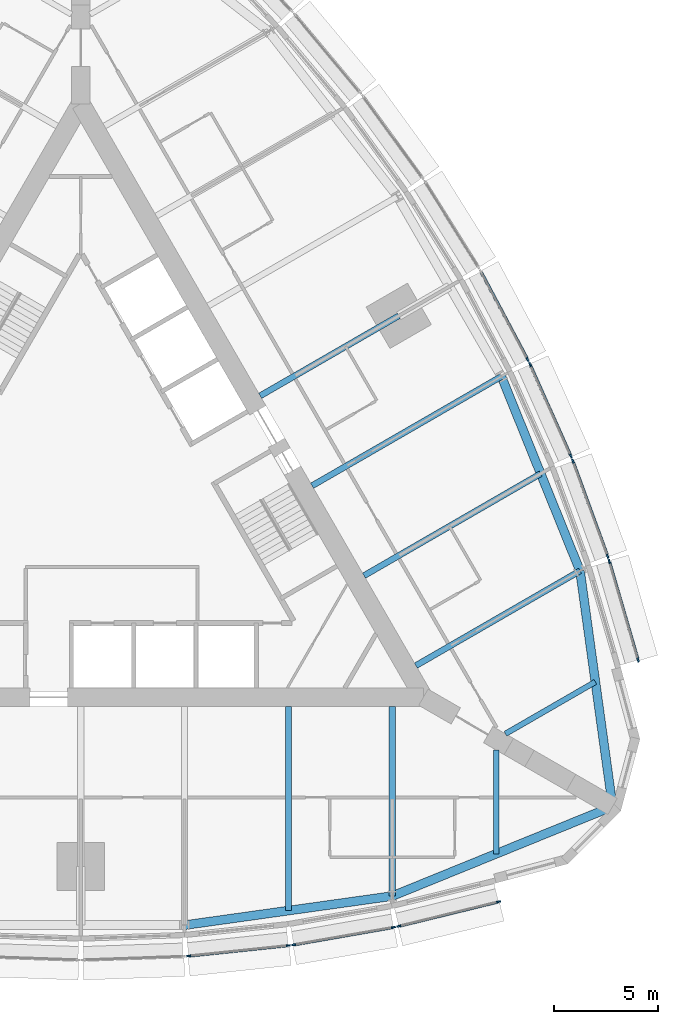
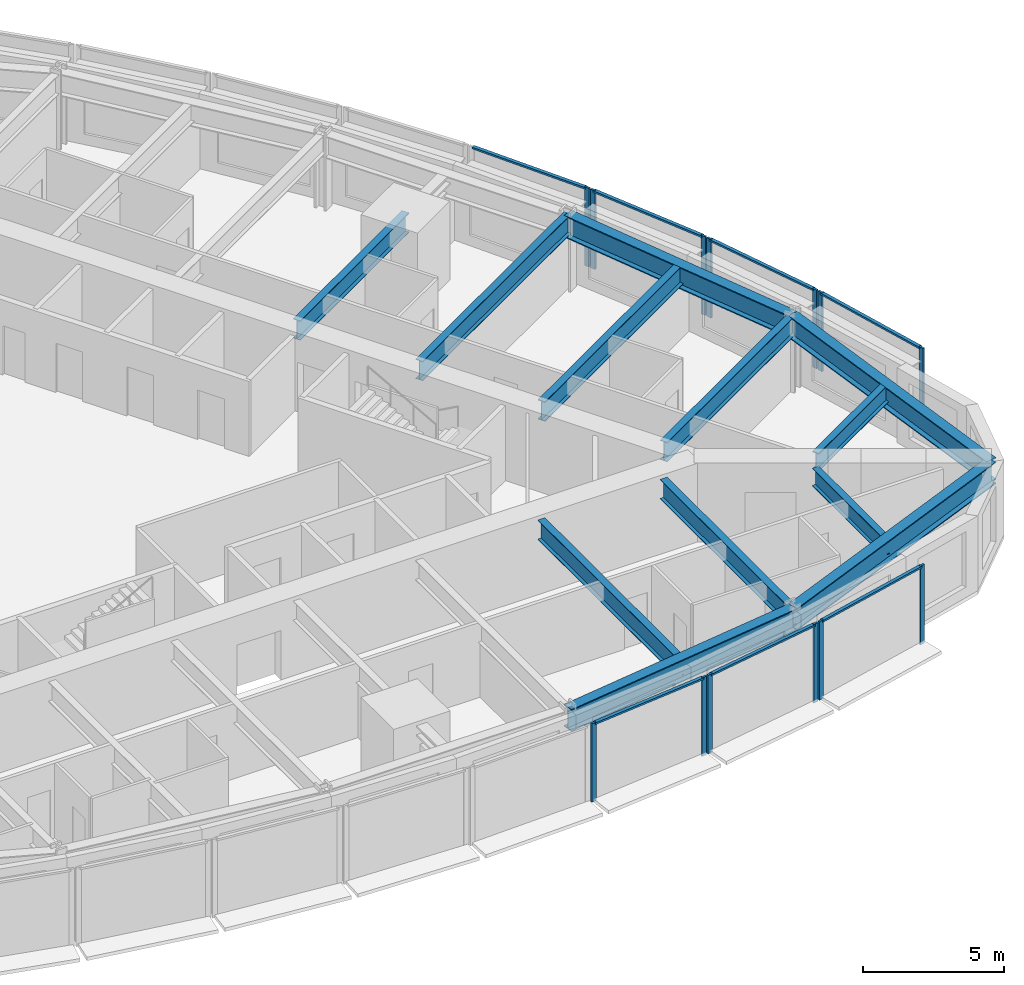
# One storey, part 3 of 14: 20 members, 12 beams, 7 elements without a shape of their own.
"""IFC4 building model written with IfcOpenShell, lengths in metres."""

from ifc_helpers import new_model, si_unit, direction, frame, origin, origin_2d, place, context, subcontext, project, spatial, rectangle, i_section, extrude, material, material_profile, profile_set, type_object, element, aggregate, save


model = new_model("IFC4")

# Units and contexts
model_context = context("Model", 3, precision=1e-05, world=origin(), true_north=direction((0.0, 1.0)))
body_context = subcontext(model_context, "Body", "Model", "MODEL_VIEW")
ifc_project = project(units=[si_unit("LENGTHUNIT", "METRE"), si_unit("AREAUNIT", "SQUARE_METRE"), si_unit("VOLUMEUNIT", "CUBIC_METRE"), si_unit("PLANEANGLEUNIT", "RADIAN"), si_unit("MASSUNIT", "GRAM", prefix="KILO")], contexts=[model_context])

# Site, building, storey
site_placement = place(None, origin())
site = spatial("IfcSite", under=ifc_project, at=site_placement, CompositionType="ELEMENT")
building_placement = place(site_placement, origin())
building = spatial("IfcBuilding", under=site, at=building_placement, Name="Trikona Tower", CompositionType="ELEMENT")
storey_placement = place(building_placement, frame((0.0, 0.0, 175.89990234375)))
storey = spatial("IfcBuildingStorey", under=building, at=storey_placement, Name="L47", CompositionType="ELEMENT", Elevation=175.89990234375)

# Curtain wall, members
ifc_material_1 = material(Name="Aluminium curtain wall system", Category="aluminium")
curtain_wall_type = type_object("IfcCurtainWallType", Name="Curtain wall DS2", PredefinedType="NOTDEFINED", material=ifc_material_1)
curtain_wall_1_placement = place(storey_placement, origin())
curtain_wall_1 = element("IfcCurtainWall", 1, at=curtain_wall_1_placement, inside=storey, type_object=curtain_wall_type, Name="Curtain wall DS2 L47", PredefinedType="NOTDEFINED")
ifc_material_2 = material(Name="Aluminium mullion, pale anodised", Category="aluminium")
ifc_material_profile_1 = material_profile(ifc_material_2, rectangle(XDim=0.080078125, YDim=0.199951171875, at=origin_2d()), Name="MUL-DS2")
ifc_profile_set_1 = profile_set([ifc_material_profile_1], Name="Aluminium mullion, pale anodised")
member_type_1 = type_object("IfcMemberType", Name="Mullion DS2 80x200", PredefinedType="MULLION", material=ifc_profile_set_1)
member_1_placement = place(storey_placement, frame((5.193359375, -21.98486328125, 0.0), z_axis=(0.0, 0.0, 1.0), x_axis=(-0.104433387357, 0.994531883654, 0.0)))
member_1 = element("IfcMember", 2, at=member_1_placement, type_object=member_type_1, Name="CW-DS2 mullion 1", PredefinedType="MULLION", context=body_context, shape_type="SweptSolid", body=[
    extrude(rectangle(XDim=0.080078125, YDim=0.199951171875, at=origin_2d()), origin(), (0.0, 0.0, 1.0), 3.400146484375),
])
member_2_placement = place(storey_placement, frame((9.99462890625, -21.480712890625, 0.0), z_axis=(0.0, 0.0, 1.0), x_axis=(-0.104433387357, 0.994531883654, 0.0)))
member_2 = element("IfcMember", 3, at=member_2_placement, type_object=member_type_1, Name="CW-DS2 mullion 2", PredefinedType="MULLION", context=body_context, shape_type="SweptSolid", body=[
    extrude(rectangle(XDim=0.080078125, YDim=0.199951171875, at=origin_2d()), origin(), (0.0, 0.0, 1.0), 3.400146484375),
])

curtain_wall_2_placement = place(storey_placement, origin())
curtain_wall_2 = element("IfcCurtainWall", 4, at=curtain_wall_2_placement, inside=storey, type_object=curtain_wall_type, Name="Curtain wall DS2 L47", PredefinedType="NOTDEFINED")
member_3_placement = place(storey_placement, frame((10.253662109375, -21.444580078125, 0.0), z_axis=(0.0, 0.0, 1.0), x_axis=(-0.17237739505, 0.985030981074, 0.0)))
member_3 = element("IfcMember", 5, at=member_3_placement, type_object=member_type_1, Name="CW-DS2 mullion 1", PredefinedType="MULLION", context=body_context, shape_type="SweptSolid", body=[
    extrude(rectangle(XDim=0.080078125, YDim=0.199951171875, at=origin_2d()), origin(), (0.0, 0.0, 1.0), 3.400146484375),
])
member_4_placement = place(storey_placement, frame((15.056640625, -20.60400390625, 0.0), z_axis=(0.0, 0.0, 1.0), x_axis=(-0.17237739505, 0.985030981074, 0.0)))
member_4 = element("IfcMember", 6, at=member_4_placement, type_object=member_type_1, Name="CW-DS2 mullion 2", PredefinedType="MULLION", context=body_context, shape_type="SweptSolid", body=[
    extrude(rectangle(XDim=0.080078125, YDim=0.199951171875, at=origin_2d()), origin(), (0.0, 0.0, 1.0), 3.400146484375),
])

curtain_wall_3_placement = place(storey_placement, origin())
curtain_wall_3 = element("IfcCurtainWall", 7, at=curtain_wall_3_placement, inside=storey, type_object=curtain_wall_type, Name="Curtain wall DS2 L47", PredefinedType="NOTDEFINED")
member_5_placement = place(storey_placement, frame((15.311279296875, -20.550537109375, 0.0), z_axis=(0.0, 0.0, 1.0), x_axis=(-0.237970204243, 0.971272455026, 0.0)))
member_5 = element("IfcMember", 8, at=member_5_placement, type_object=member_type_1, Name="CW-DS2 mullion 1", PredefinedType="MULLION", context=body_context, shape_type="SweptSolid", body=[
    extrude(rectangle(XDim=0.080078125, YDim=0.199951171875, at=origin_2d()), origin(), (0.0, 0.0, 1.0), 3.400146484375),
])
member_6_placement = place(storey_placement, frame((20.116943359375, -19.373046875, 0.0), z_axis=(0.0, 0.0, 1.0), x_axis=(-0.237970204243, 0.971272455026, 0.0)))
member_6 = element("IfcMember", 9, at=member_6_placement, type_object=member_type_1, Name="CW-DS2 mullion 2", PredefinedType="MULLION", context=body_context, shape_type="SweptSolid", body=[
    extrude(rectangle(XDim=0.080078125, YDim=0.199951171875, at=origin_2d()), origin(), (0.0, 0.0, 1.0), 3.400146484375),
])

curtain_wall_4_placement = place(storey_placement, origin())
curtain_wall_4 = element("IfcCurtainWall", 10, at=curtain_wall_4_placement, inside=storey, type_object=curtain_wall_type, Name="Curtain wall DS2 L47", PredefinedType="NOTDEFINED")
member_7_placement = place(storey_placement, frame((26.836181640625, -7.7353515625, 0.0), z_axis=(0.0, 0.0, 1.0), x_axis=(-0.96013310152, -0.279543247757, 0.0)))
member_7 = element("IfcMember", 11, at=member_7_placement, type_object=member_type_1, Name="CW-DS2 mullion 1", PredefinedType="MULLION", context=body_context, shape_type="SweptSolid", body=[
    extrude(rectangle(XDim=0.080078125, YDim=0.199951171875, at=origin_2d()), origin(), (0.0, 0.0, 1.0), 3.400146484375),
])
member_8_placement = place(storey_placement, frame((25.452880859375, -2.984619140625, 0.0), z_axis=(0.0, 0.0, 1.0), x_axis=(-0.96013310152, -0.279543247757, 0.0)))
member_8 = element("IfcMember", 12, at=member_8_placement, type_object=member_type_1, Name="CW-DS2 mullion 2", PredefinedType="MULLION", context=body_context, shape_type="SweptSolid", body=[
    extrude(rectangle(XDim=0.080078125, YDim=0.199951171875, at=origin_2d()), origin(), (0.0, 0.0, 1.0), 3.400146484375),
])

curtain_wall_5_placement = place(storey_placement, origin())
curtain_wall_5 = element("IfcCurtainWall", 13, at=curtain_wall_5_placement, inside=storey, type_object=curtain_wall_type, Name="Curtain wall DS2 L47", PredefinedType="NOTDEFINED")
member_9_placement = place(storey_placement, frame((25.371826171875, -2.737548828125, 0.0), z_axis=(0.0, 0.0, 1.0), x_axis=(-0.939253790978, -0.343223420143, 0.0)))
member_9 = element("IfcMember", 14, at=member_9_placement, type_object=member_type_1, Name="CW-DS2 mullion 1", PredefinedType="MULLION", context=body_context, shape_type="SweptSolid", body=[
    extrude(rectangle(XDim=0.080078125, YDim=0.199951171875, at=origin_2d()), origin(), (0.0, 0.0, 1.0), 3.400146484375),
])
member_10_placement = place(storey_placement, frame((23.6982421875, 1.84228515625, 0.0), z_axis=(0.0, 0.0, 1.0), x_axis=(-0.939253790978, -0.343223420143, 0.0)))
member_10 = element("IfcMember", 15, at=member_10_placement, type_object=member_type_1, Name="CW-DS2 mullion 2", PredefinedType="MULLION", context=body_context, shape_type="SweptSolid", body=[
    extrude(rectangle(XDim=0.080078125, YDim=0.199951171875, at=origin_2d()), origin(), (0.0, 0.0, 1.0), 3.400146484375),
])

curtain_wall_6_placement = place(storey_placement, origin())
curtain_wall_6 = element("IfcCurtainWall", 16, at=curtain_wall_6_placement, inside=storey, type_object=curtain_wall_type, Name="Curtain wall DS2 L47", PredefinedType="NOTDEFINED")
member_11_placement = place(storey_placement, frame((23.60009765625, 2.0849609375, 0.0), z_axis=(0.0, 0.0, 1.0), x_axis=(-0.913501208767, -0.406836013132, 0.0)))
member_11 = element("IfcMember", 17, at=member_11_placement, type_object=member_type_1, Name="CW-DS2 mullion 1", PredefinedType="MULLION", context=body_context, shape_type="SweptSolid", body=[
    extrude(rectangle(XDim=0.080078125, YDim=0.199951171875, at=origin_2d()), origin(), (0.0, 0.0, 1.0), 3.400146484375),
])
member_12_placement = place(storey_placement, frame((21.63623046875, 6.494873046875, 0.0), z_axis=(0.0, 0.0, 1.0), x_axis=(-0.913501208767, -0.406836013132, 0.0)))
member_12 = element("IfcMember", 18, at=member_12_placement, type_object=member_type_1, Name="CW-DS2 mullion 2", PredefinedType="MULLION", context=body_context, shape_type="SweptSolid", body=[
    extrude(rectangle(XDim=0.080078125, YDim=0.199951171875, at=origin_2d()), origin(), (0.0, 0.0, 1.0), 3.400146484375),
])

# Curtain wall, member
curtain_wall_7_placement = place(storey_placement, origin())
curtain_wall_7 = element("IfcCurtainWall", 19, at=curtain_wall_7_placement, inside=storey, type_object=curtain_wall_type, Name="Curtain wall DS2 L47", PredefinedType="NOTDEFINED")
member_13_placement = place(storey_placement, frame((21.52099609375, 6.730712890625, 0.0), z_axis=(0.0, 0.0, 1.0), x_axis=(-0.882996107343, -0.469380308937, 0.0)))
member_13 = element("IfcMember", 20, at=member_13_placement, type_object=member_type_1, Name="CW-DS2 mullion 1", PredefinedType="MULLION", context=body_context, shape_type="SweptSolid", body=[
    extrude(rectangle(XDim=0.080078125, YDim=0.199951171875, at=origin_2d()), origin(), (0.0, 0.0, 1.0), 3.400146484375),
])

# Beams
ifc_material_3 = material(Name="Steel ASTM A992 Grade 50", Category="steel")
ifc_material_profile_2 = material_profile(ifc_material_3, i_section(OverallWidth=0.2666015625, OverallDepth=0.76953125, WebThickness=0.015625, FlangeThickness=0.025390625, at=origin_2d()), Name="W30X132")
ifc_profile_set_2 = profile_set([ifc_material_profile_2], Name="Steel ASTM A992 Grade 50")
beam_type_1 = type_object("IfcBeamType", Name="Steel beam W30x132 (wedge)", PredefinedType="BEAM", material=ifc_profile_set_2)
beam_1_placement = place(storey_placement, frame((20.0, -12.066650390625, 2.850341796875), z_axis=(0.0, -1.0, 0.0), x_axis=(1.0, 0.0, 0.0)))
element("IfcBeam", 21, at=beam_1_placement, inside=storey, type_object=beam_type_1, Name="Floor beam L48 F1 u20", PredefinedType="BEAM", context=body_context, shape_type="SweptSolid", body=[
    extrude(i_section(OverallWidth=0.2666015625, OverallDepth=0.76953125, WebThickness=0.015625, FlangeThickness=0.025390625, at=origin_2d()), origin(), (0.0, 0.0, 1.0), 5.00048828125),
])
beam_2_placement = place(storey_placement, frame((20.449951171875, -11.287109375, 2.850341796875), z_axis=(0.866038434829, 0.49997742889, 0.0), x_axis=(-0.49997742889, 0.866038434829, 0.0)))
element("IfcBeam", 22, at=beam_2_placement, inside=storey, type_object=beam_type_1, Name="Floor beam L48 F2 u-20", PredefinedType="BEAM", context=body_context, shape_type="SweptSolid", body=[
    extrude(i_section(OverallWidth=0.2666015625, OverallDepth=0.76953125, WebThickness=0.015625, FlangeThickness=0.025390625, at=origin_2d()), origin(), (0.0, 0.0, 1.0), 5.000732421875),
])
ifc_material_4 = material(Name="Steel ASTM A992 Grade 50", Category="steel")
ifc_material_profile_3 = material_profile(ifc_material_4, i_section(OverallWidth=0.2919921875, OverallDepth=0.845703125, WebThickness=0.015380859375, FlangeThickness=0.0244140625, at=origin_2d()), Name="W33X141")
ifc_profile_set_3 = profile_set([ifc_material_profile_3], Name="Steel ASTM A992 Grade 50")
beam_type_2 = type_object("IfcBeamType", Name="Steel beam W33x141 (radial typ)", PredefinedType="BEAM", material=ifc_profile_set_3)
beam_3_placement = place(storey_placement, frame((10.0, -9.976318359375, 2.812255859375), z_axis=(0.0, -1.0, 0.0), x_axis=(1.0, 0.0, 0.0)))
element("IfcBeam", 23, at=beam_3_placement, inside=storey, type_object=beam_type_2, Name="Floor beam L48 F1 u10", PredefinedType="BEAM", context=body_context, shape_type="SweptSolid", body=[
    extrude(i_section(OverallWidth=0.2919921875, OverallDepth=0.845703125, WebThickness=0.015380859375, FlangeThickness=0.0244140625, at=origin_2d()), origin(), (0.0, 0.0, 1.0), 9.823974609375),
])
beam_4_placement = place(storey_placement, frame((15.0, -9.976318359375, 2.812255859375), z_axis=(0.0, -1.0, 0.0), x_axis=(1.0, 0.0, 0.0)))
element("IfcBeam", 24, at=beam_4_placement, inside=storey, type_object=beam_type_2, Name="Floor beam L48 F1 u15", PredefinedType="BEAM", context=body_context, shape_type="SweptSolid", body=[
    extrude(i_section(OverallWidth=0.2919921875, OverallDepth=0.845703125, WebThickness=0.015380859375, FlangeThickness=0.0244140625, at=origin_2d()), origin(), (0.0, 0.0, 1.0), 9.123779296875),
])
beam_5_placement = place(storey_placement, frame((16.1396484375, -8.002197265625, 2.812255859375), z_axis=(0.866024725532, 0.500001174766, 0.0), x_axis=(-0.500001174766, 0.866024725532, 0.0)))
element("IfcBeam", 25, at=beam_5_placement, inside=storey, type_object=beam_type_2, Name="Floor beam L48 F2 u-15", PredefinedType="BEAM", context=body_context, shape_type="SweptSolid", body=[
    extrude(i_section(OverallWidth=0.2919921875, OverallDepth=0.845703125, WebThickness=0.015380859375, FlangeThickness=0.0244140625, at=origin_2d()), origin(), (0.0, 0.0, 1.0), 9.1240234375),
])
beam_6_placement = place(storey_placement, frame((13.6396484375, -3.672119140625, 2.812255859375), z_axis=(0.866020046725, 0.500009278584, 0.0), x_axis=(-0.500009278584, 0.866020046725, 0.0)))
element("IfcBeam", 26, at=beam_6_placement, inside=storey, type_object=beam_type_2, Name="Floor beam L48 F2 u-10", PredefinedType="BEAM", context=body_context, shape_type="SweptSolid", body=[
    extrude(i_section(OverallWidth=0.2919921875, OverallDepth=0.845703125, WebThickness=0.015380859375, FlangeThickness=0.0244140625, at=origin_2d()), origin(), (0.0, 0.0, 1.0), 9.823974609375),
])
beam_7_placement = place(storey_placement, frame((11.1396484375, 0.657958984375, 2.812255859375), z_axis=(0.866026035623, 0.499998905622, 0.0), x_axis=(-0.499998905622, 0.866026035623, 0.0)))
element("IfcBeam", 27, at=beam_7_placement, inside=storey, type_object=beam_type_2, Name="Floor beam L48 F2 u-5", PredefinedType="BEAM", context=body_context, shape_type="SweptSolid", body=[
    extrude(i_section(OverallWidth=0.2919921875, OverallDepth=0.845703125, WebThickness=0.015380859375, FlangeThickness=0.0244140625, at=origin_2d()), origin(), (0.0, 0.0, 1.0), 10.52392578125),
])
beam_8_placement = place(storey_placement, frame((8.6396484375, 4.988037109375, 2.812255859375), z_axis=(0.866017246294, 0.500014128921, 0.0), x_axis=(-0.500014128921, 0.866017246294, 0.0)))
element("IfcBeam", 28, at=beam_8_placement, inside=storey, type_object=beam_type_2, Name="Floor beam L48 F2 u0", PredefinedType="BEAM", context=body_context, shape_type="SweptSolid", body=[
    extrude(i_section(OverallWidth=0.2919921875, OverallDepth=0.845703125, WebThickness=0.015380859375, FlangeThickness=0.0244140625, at=origin_2d()), origin(), (0.0, 0.0, 1.0), 7.704345703125),
])
ifc_material_5 = material(Name="Steel ASTM A992 Grade 50", Category="steel")
ifc_material_profile_4 = material_profile(ifc_material_5, i_section(OverallWidth=0.424072265625, OverallDepth=0.947509765625, WebThickness=0.02392578125, FlangeThickness=0.042724609375, at=origin_2d()), Name="W36X302")
ifc_profile_set_4 = profile_set([ifc_material_profile_4], Name="Steel ASTM A992 Grade 50")
beam_type_3 = type_object("IfcBeamType", Name="Steel beam W36x302 (spandrel)", PredefinedType="SPANDREL", material=ifc_profile_set_4)
beam_9_placement = place(storey_placement, frame((5.0, -20.500244140625, 2.761474609375), z_axis=(0.990339754644, 0.13866207258, 0.0), x_axis=(-0.13866207258, 0.990339754644, 0.0)))
element("IfcBeam", 29, at=beam_9_placement, inside=storey, type_object=beam_type_3, Name="Spandrel beam L48 F1-4", PredefinedType="SPANDREL", context=body_context, shape_type="SweptSolid", body=[
    extrude(i_section(OverallWidth=0.424072265625, OverallDepth=0.947509765625, WebThickness=0.02392578125, FlangeThickness=0.042724609375, at=origin_2d()), origin(), (0.0, 0.0, 1.0), 10.09765625),
])
for number, where, z_axis, x_axis, name in (
    (30, (15.0, -19.10009765625, 2.761474609375), (0.926359695662, 0.376640032728, 0.0), (-0.376640032728, 0.926359695662, 0.0), "Spandrel beam L48 F1-5"),
    (31, (25.6103515625, -14.7861328125, 2.761474609375), (-0.136991535842, 0.990572218017, 0.0), (-0.990572218017, -0.136991535842, 0.0), "Spandrel beam L48 F2-1"),
):
    element("IfcBeam", number, at=place(storey_placement, frame(where, z_axis=z_axis, x_axis=x_axis)), inside=storey, type_object=beam_type_3, Name=name, PredefinedType="SPANDREL", context=body_context, shape_type="SweptSolid", body=[
        extrude(i_section(OverallWidth=0.424072265625, OverallDepth=0.947509765625, WebThickness=0.02392578125, FlangeThickness=0.042724609375, at=origin_2d()), origin(), (0.0, 0.0, 1.0), 11.453857421875),
    ])
beam_10_placement = place(storey_placement, frame((24.041259765625, -3.440185546875, 2.761474609375), z_axis=(-0.375106193787, 0.926981846307, 0.0), x_axis=(-0.926981846307, -0.375106193787, 0.0)))
element("IfcBeam", 32, at=beam_10_placement, inside=storey, type_object=beam_type_3, Name="Spandrel beam L48 F2-2", PredefinedType="SPANDREL", context=body_context, shape_type="SweptSolid", body=[
    extrude(i_section(OverallWidth=0.424072265625, OverallDepth=0.947509765625, WebThickness=0.02392578125, FlangeThickness=0.042724609375, at=origin_2d()), origin(), (0.0, 0.0, 1.0), 10.097412109375),
])

# Member
ifc_material_6 = material(Name="Aluminium transom, pale anodised", Category="aluminium")
ifc_material_profile_5 = material_profile(ifc_material_6, rectangle(XDim=0.139892578125, YDim=0.080078125, at=origin_2d()), Name="TRN-DS2")
ifc_profile_set_5 = profile_set([ifc_material_profile_5], Name="Aluminium transom, pale anodised")
member_type_2 = type_object("IfcMemberType", Name="Transom DS2 80x140", PredefinedType="USERDEFINED", material=ifc_profile_set_5)
member_14_placement = place(storey_placement, frame((5.233154296875, -21.980712890625, 3.360107421875), z_axis=(0.99453106441, 0.104441188822, 0.0), x_axis=(-0.104441188822, 0.99453106441, 0.0)))
member_14 = element("IfcMember", 33, at=member_14_placement, type_object=member_type_2, Name="CW-DS2 transom 1.1", ObjectType="TRANSOM", PredefinedType="USERDEFINED", context=body_context, shape_type="SweptSolid", body=[
    extrude(rectangle(XDim=0.139892578125, YDim=0.080078125, at=origin_2d()), origin(), (0.0, 0.0, 1.0), 4.74755859375),
])

aggregate(curtain_wall_1, [member_1, member_2, member_14])

member_15_placement = place(storey_placement, frame((10.29296875, -21.4375, 3.360107421875), z_axis=(0.98503262804, 0.172367983387, 0.0), x_axis=(-0.172367983387, 0.98503262804, 0.0)))
member_15 = element("IfcMember", 34, at=member_15_placement, type_object=member_type_2, Name="CW-DS2 transom 1.1", ObjectType="TRANSOM", PredefinedType="USERDEFINED", context=body_context, shape_type="SweptSolid", body=[
    extrude(rectangle(XDim=0.139892578125, YDim=0.080078125, at=origin_2d()), origin(), (0.0, 0.0, 1.0), 4.7958984375),
])

aggregate(curtain_wall_2, [member_3, member_4, member_15])

member_16_placement = place(storey_placement, frame((15.35009765625, -20.541015625, 3.360107421875), z_axis=(0.971270583303, 0.237977843528, 0.0), x_axis=(-0.237977843528, 0.971270583303, 0.0)))
member_16 = element("IfcMember", 35, at=member_16_placement, type_object=member_type_2, Name="CW-DS2 transom 1.1", ObjectType="TRANSOM", PredefinedType="USERDEFINED", context=body_context, shape_type="SweptSolid", body=[
    extrude(rectangle(XDim=0.139892578125, YDim=0.080078125, at=origin_2d()), origin(), (0.0, 0.0, 1.0), 4.867919921875),
])

aggregate(curtain_wall_3, [member_5, member_6, member_16])

member_17_placement = place(storey_placement, frame((26.824951171875, -7.69677734375, 3.360107421875), z_axis=(-0.279566628153, 0.960126293996, 0.0), x_axis=(-0.960126293996, -0.279566628153, 0.0)))
member_17 = element("IfcMember", 36, at=member_17_placement, type_object=member_type_2, Name="CW-DS2 transom 1.1", ObjectType="TRANSOM", PredefinedType="USERDEFINED", context=body_context, shape_type="SweptSolid", body=[
    extrude(rectangle(XDim=0.139892578125, YDim=0.080078125, at=origin_2d()), origin(), (0.0, 0.0, 1.0), 4.86767578125),
])

aggregate(curtain_wall_4, [member_7, member_8, member_17])

member_18_placement = place(storey_placement, frame((25.358154296875, -2.699951171875, 3.360107421875), z_axis=(-0.343205907674, 0.939260190223, 0.0), x_axis=(-0.939260190223, -0.343205907674, 0.0)))
member_18 = element("IfcMember", 37, at=member_18_placement, type_object=member_type_2, Name="CW-DS2 transom 1.1", ObjectType="TRANSOM", PredefinedType="USERDEFINED", context=body_context, shape_type="SweptSolid", body=[
    extrude(rectangle(XDim=0.139892578125, YDim=0.080078125, at=origin_2d()), origin(), (0.0, 0.0, 1.0), 4.7958984375),
])

aggregate(curtain_wall_5, [member_9, member_10, member_18])

member_19_placement = place(storey_placement, frame((23.583740234375, 2.12158203125, 3.360107421875), z_axis=(-0.406839769607, 0.913499535778, 0.0), x_axis=(-0.913499535778, -0.406839769607, 0.0)))
member_19 = element("IfcMember", 38, at=member_19_placement, type_object=member_type_2, Name="CW-DS2 transom 1.1", ObjectType="TRANSOM", PredefinedType="USERDEFINED", context=body_context, shape_type="SweptSolid", body=[
    extrude(rectangle(XDim=0.139892578125, YDim=0.080078125, at=origin_2d()), origin(), (0.0, 0.0, 1.0), 4.747314453125),
])

aggregate(curtain_wall_6, [member_11, member_12, member_19])

member_20_placement = place(storey_placement, frame((21.502197265625, 6.76611328125, 3.360107421875), z_axis=(-0.469364343408, 0.883004594063, 0.0), x_axis=(-0.883004594063, -0.469364343408, 0.0)))
member_20 = element("IfcMember", 39, at=member_20_placement, type_object=member_type_2, Name="CW-DS2 transom 1.1", ObjectType="TRANSOM", PredefinedType="USERDEFINED", context=body_context, shape_type="SweptSolid", body=[
    extrude(rectangle(XDim=0.139892578125, YDim=0.080078125, at=origin_2d()), origin(), (0.0, 0.0, 1.0), 4.722900390625),
])

aggregate(curtain_wall_7, [member_13, member_20])

save(model, "model.ifc")
